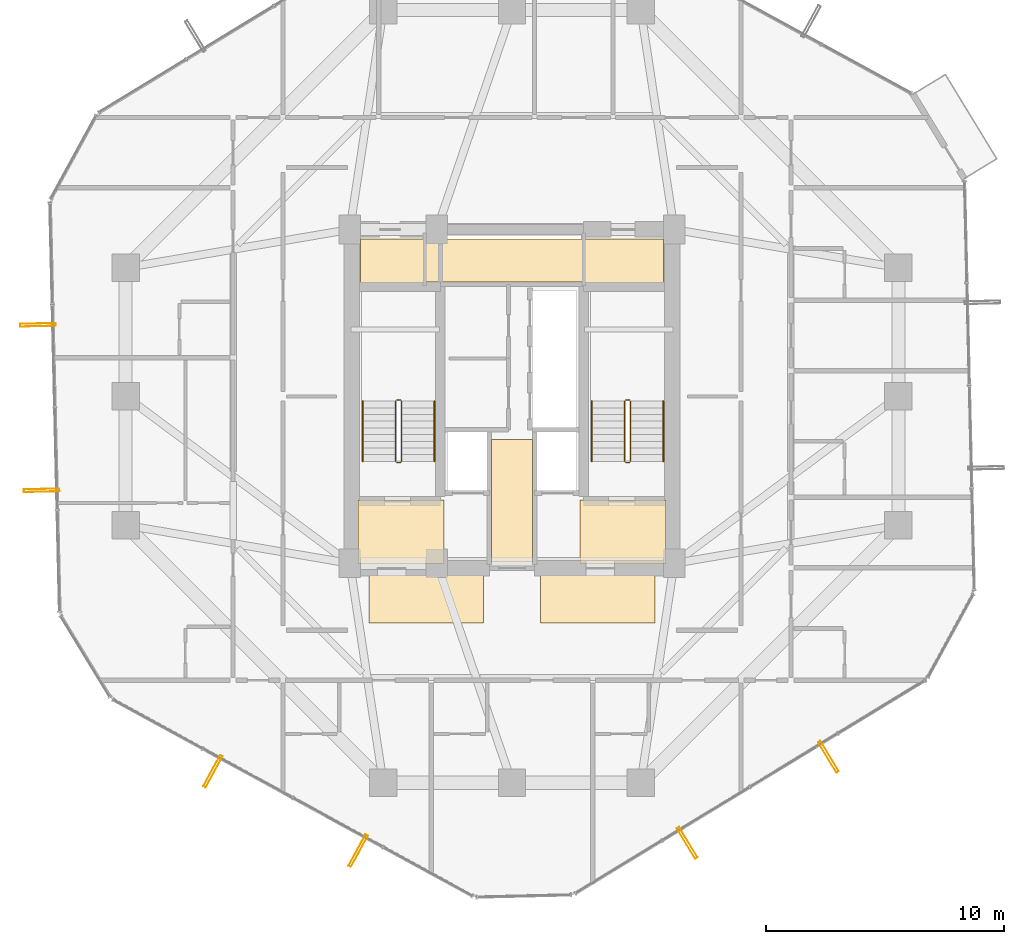
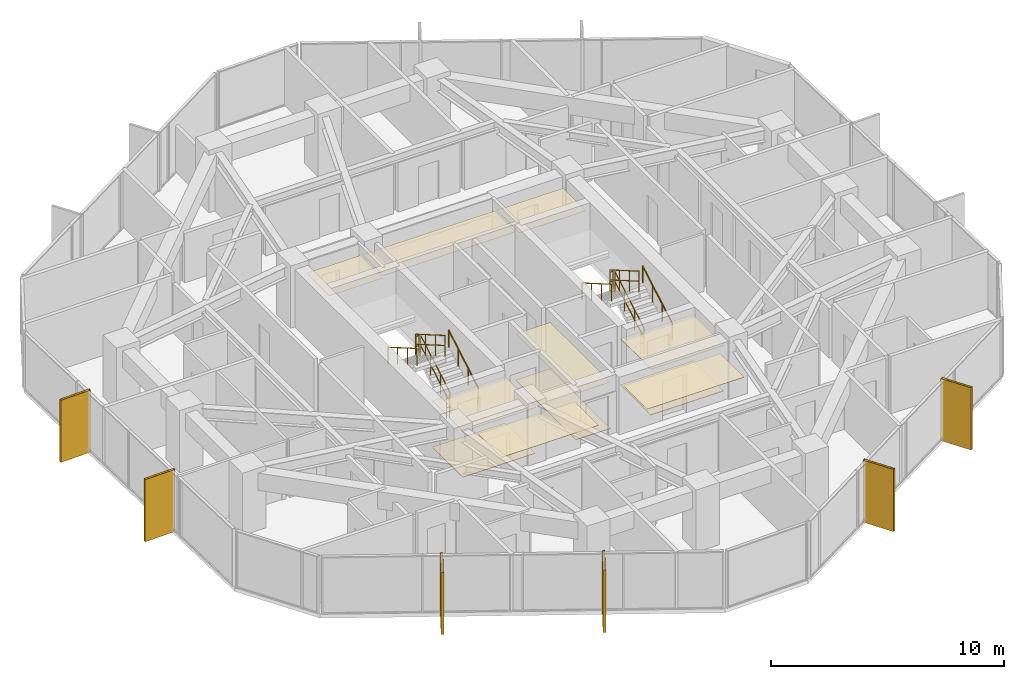
# One storey, part 30 of 31: 12 railings, 11 coverings, 6 shading devices.
"""IFC4 building model written with IfcOpenShell, lengths in metres."""

from ifc_helpers import new_model, si_unit, direction, frame, origin, origin_2d, place, context, subcontext, project, spatial, polyline, hollow_rectangle, circle, outline, extrude, material, layer, layer_set, material_profile, profile_set, type_object, element, save


model = new_model("IFC4")

# Units and contexts
model_context = context("Model", 3, precision=1e-05, world=origin(), true_north=direction((0.0, 1.0)))
body_context = subcontext(model_context, "Body", "Model", "MODEL_VIEW")
ifc_project = project(units=[si_unit("LENGTHUNIT", "METRE"), si_unit("AREAUNIT", "SQUARE_METRE"), si_unit("VOLUMEUNIT", "CUBIC_METRE"), si_unit("PLANEANGLEUNIT", "RADIAN"), si_unit("MASSUNIT", "GRAM", prefix="KILO")], contexts=[model_context])

# Site, building, storey
site_placement = place(None, origin())
site = spatial("IfcSite", under=ifc_project, at=site_placement, CompositionType="ELEMENT")
building_placement = place(site_placement, origin())
building = spatial("IfcBuilding", under=site, at=building_placement, Name="Veraguas Prism Commons", CompositionType="ELEMENT")
storey_placement = place(building_placement, frame((0.0, 0.0, 132.75)))
storey = spatial("IfcBuildingStorey", under=building, at=storey_placement, Name="L37", CompositionType="ELEMENT", Elevation=132.75)

# Shading devices
ifc_material_1 = material(Name="Anodised aluminium EN AW-6063 T6", Category="aluminium")
ifc_material_profile = material_profile(ifc_material_1, hollow_rectangle(XDim=0.1201171875, YDim=1.489990234375, WallThickness=0.006103515625, at=origin_2d()), Name="FIN120X1490X6")
ifc_profile_set = profile_set([ifc_material_profile], Name="Anodised aluminium EN AW-6063 T6")
shading_device_type = type_object("IfcShadingDeviceType", Name="Deep Pale-Metal Vertical Solar Fin 120x1490", PredefinedType="USERDEFINED", material=ifc_profile_set)
for number, where, z_axis, x_axis, name in (
    (1, (4.11572265625, 26.999755859375, -0.22998046875), (0.0, 0.0, 1.0), (0.023734248954, -0.999718303037, 0.0), "Vertical Pale-Metal Solar Fin L37-F3A"),
    (2, (4.280517578125, 20.06005859375, -0.22998046875), (0.0, 0.0, 1.0), (0.023734248954, -0.999718303037, 0.0), "Vertical Pale-Metal Solar Fin L37-F3B"),
    (3, (11.4599609375, 8.279541015625, -0.22998046875), (0.0, 0.0, 1.0), (0.877647734989, -0.479306220769, 0.0), "Vertical Pale-Metal Solar Fin L37-F4A"),
    (4, (17.552490234375, 4.952392578125, -0.22998046875), (0.0, 0.0, 1.0), (0.877647734989, -0.479306220769, 0.0), "Vertical Pale-Metal Solar Fin L37-F4B"),
    (5, (31.34423828125, 5.27978515625, -0.22998046875), (0.0, 0.0, 1.0), (0.853916139162, 0.520410633326, 0.0), "Vertical Pale-Metal Solar Fin L37-F5A"),
    (6, (37.27197265625, 8.892333984375, -0.22998046875), (0.0, 0.0, 1.0), (0.853916139162, 0.520410633326, 0.0), "Vertical Pale-Metal Solar Fin L37-F5B"),
):
    element("IfcShadingDevice", number, at=place(storey_placement, frame(where, z_axis=z_axis, x_axis=x_axis)), inside=storey, type_object=shading_device_type, Name=name, ObjectType="FIN", PredefinedType="USERDEFINED", context=body_context, shape_type="SweptSolid", body=[
        extrude(hollow_rectangle(XDim=0.1201171875, YDim=1.489990234375, WallThickness=0.006103515625, at=origin_2d()), origin(), (0.0, 0.0, 1.0), 3.25),
    ])

# Coverings
ifc_material_2 = material(Name="Acoustic gypsum board")
ifc_layer_1 = layer(ifc_material_2, 0.02490234375, Name="Perforated Acoustic Ceiling Tile 25")
ifc_layer_set_1 = layer_set([ifc_layer_1], Name="Acoustic gypsum board")
covering_type_1 = type_object("IfcCoveringType", Name="Perforated Acoustic Ceiling Tile 25", PredefinedType="USERDEFINED", material=ifc_layer_set_1)
covering_1_placement = place(storey_placement, frame((0.0, 0.0, 2.425048828125)))
element("IfcCovering", 7, at=covering_1_placement, inside=storey, type_object=covering_type_1, Name="East Lobby Acoustic Ceiling L37", ObjectType="ACOUSTIC CEILING", PredefinedType="USERDEFINED", context=body_context, shape_type="SweptSolid", body=[
    extrude(outline(polyline([(26.85009765625, 17.0), (30.449951171875, 17.0), (30.449951171875, 19.64990234375), (26.85009765625, 19.64990234375), (26.85009765625, 17.0)])), origin(), (0.0, 0.0, 1.0), 0.02490234375),
])
ifc_material_3 = material(Name="Terrazzo stone finish", Category="masonry")
ifc_layer_2 = layer(ifc_material_3, 0.030029296875, Name="Polished Terrazzo Floor Finish 30", Category="masonry")
ifc_layer_set_2 = layer_set([ifc_layer_2], Name="Terrazzo stone finish")
covering_type_2 = type_object("IfcCoveringType", Name="Polished Terrazzo Floor Finish 30", PredefinedType="FLOORING", material=ifc_layer_set_2)
covering_2_placement = place(storey_placement, origin())
element("IfcCovering", 8, at=covering_2_placement, inside=storey, type_object=covering_type_2, Name="Terrazzo Lobby Flooring L37", PredefinedType="FLOORING", context=body_context, shape_type="SweptSolid", body=[
    extrude(outline(polyline([(23.14990234375, 17.050048828125), (24.85009765625, 17.050048828125), (24.85009765625, 22.199951171875), (23.14990234375, 22.199951171875), (23.14990234375, 17.050048828125)])), origin(), (0.0, 0.0, 1.0), 0.030029296875),
])
covering_3_placement = place(storey_placement, origin())
element("IfcCovering", 9, at=covering_3_placement, inside=storey, type_object=covering_type_2, Name="West FF Lobby Terrazzo Flooring L37", PredefinedType="FLOORING", context=body_context, shape_type="SweptSolid", body=[
    extrude(outline(polyline([(17.550048828125, 17.050048828125), (21.14990234375, 17.050048828125), (21.14990234375, 19.64990234375), (17.550048828125, 19.64990234375), (17.550048828125, 17.050048828125)])), origin(), (0.0, 0.0, 1.0), 0.030029296875),
])
covering_4_placement = place(storey_placement, origin())
element("IfcCovering", 10, at=covering_4_placement, inside=storey, type_object=covering_type_2, Name="East FF Lobby Terrazzo Flooring L37", PredefinedType="FLOORING", context=body_context, shape_type="SweptSolid", body=[
    extrude(outline(polyline([(26.85009765625, 17.050048828125), (30.449951171875, 17.050048828125), (30.449951171875, 19.64990234375), (26.85009765625, 19.64990234375), (26.85009765625, 17.050048828125)])), origin(), (0.0, 0.0, 1.0), 0.030029296875),
])

# Railings
ifc_material_4 = material(Name="Stainless steel AISI 316", Category="steel")
railing_type_1 = type_object("IfcRailingType", Name="Stair and Ramp Stainless Handrail 900", PredefinedType="HANDRAIL", material=ifc_material_4)
railing_1_placement = place(storey_placement, frame((20.75, 21.280029296875, 0.16259765625)))
element("IfcRailing", 11, at=railing_1_placement, inside=storey, type_object=railing_type_1, Name="Stair Handrail ST-01 L37-1", PredefinedType="HANDRAIL", context=body_context, shape_type="SweptSolid", body=[
    extrude(circle(Radius=0.02392578125, at=origin_2d()), frame((0.0, 0.0, 0.8759765625), z_axis=(0.0, 0.864913338283, 0.50192122615), x_axis=(-1.0, 0.0, 0.0)), (0.0, 0.0, 1.0), 2.91357421875),
    extrude(circle(Radius=0.02099609375, at=origin_2d()), origin(), (0.0, 0.0, 1.0), 0.851806640625),
    extrude(circle(Radius=0.02099609375, at=origin_2d()), frame((0.0, 0.840087890625, 0.487548828125)), (0.0, 0.0, 1.0), 0.851806640625),
    extrude(circle(Radius=0.02099609375, at=origin_2d()), frame((0.0, 1.679931640625, 0.974853515625)), (0.0, 0.0, 1.0), 0.851806640625),
    extrude(circle(Radius=0.02099609375, at=origin_2d()), frame((0.0, 2.52001953125, 1.46240234375)), (0.0, 0.0, 1.0), 0.851806640625),
])
railing_2_placement = place(storey_placement, frame((17.739990234375, 23.800048828125, 1.78759765625)))
element("IfcRailing", 12, at=railing_2_placement, inside=storey, type_object=railing_type_1, Name="Stair Handrail ST-01 L37-2", PredefinedType="HANDRAIL", context=body_context, shape_type="SweptSolid", body=[
    extrude(circle(Radius=0.02392578125, at=origin_2d()), frame((0.0, 0.0, 0.8759765625), z_axis=(0.0, -0.864913338283, 0.50192122615), x_axis=(1.0, 0.0, 0.0)), (0.0, 0.0, 1.0), 2.91357421875),
    extrude(circle(Radius=0.02099609375, at=origin_2d()), origin(), (0.0, 0.0, 1.0), 0.851806640625),
    extrude(circle(Radius=0.02099609375, at=origin_2d()), frame((0.0, -0.840087890625, 0.487548828125)), (0.0, 0.0, 1.0), 0.851806640625),
    extrude(circle(Radius=0.02099609375, at=origin_2d()), frame((0.0, -1.679931640625, 0.974853515625)), (0.0, 0.0, 1.0), 0.851806640625),
    extrude(circle(Radius=0.02099609375, at=origin_2d()), frame((0.0, -2.52001953125, 1.46240234375)), (0.0, 0.0, 1.0), 0.851806640625),
])
railing_3_placement = place(storey_placement, frame((30.35009765625, 21.280029296875, 0.16259765625)))
element("IfcRailing", 13, at=railing_3_placement, inside=storey, type_object=railing_type_1, Name="Stair Handrail ST-02 L37-1", PredefinedType="HANDRAIL", context=body_context, shape_type="SweptSolid", body=[
    extrude(circle(Radius=0.02392578125, at=origin_2d()), frame((0.0, 0.0, 0.8759765625), z_axis=(0.0, 0.864913338283, 0.50192122615), x_axis=(-1.0, 0.0, 0.0)), (0.0, 0.0, 1.0), 2.91357421875),
    extrude(circle(Radius=0.02099609375, at=origin_2d()), origin(), (0.0, 0.0, 1.0), 0.851806640625),
    extrude(circle(Radius=0.02099609375, at=origin_2d()), frame((0.0, 0.840087890625, 0.487548828125)), (0.0, 0.0, 1.0), 0.851806640625),
    extrude(circle(Radius=0.02099609375, at=origin_2d()), frame((0.0, 1.679931640625, 0.974853515625)), (0.0, 0.0, 1.0), 0.851806640625),
    extrude(circle(Radius=0.02099609375, at=origin_2d()), frame((0.0, 2.52001953125, 1.46240234375)), (0.0, 0.0, 1.0), 0.851806640625),
])
railing_4_placement = place(storey_placement, frame((27.340087890625, 23.800048828125, 1.78759765625)))
element("IfcRailing", 14, at=railing_4_placement, inside=storey, type_object=railing_type_1, Name="Stair Handrail ST-02 L37-2", PredefinedType="HANDRAIL", context=body_context, shape_type="SweptSolid", body=[
    extrude(circle(Radius=0.02392578125, at=origin_2d()), frame((0.0, 0.0, 0.8759765625), z_axis=(0.0, -0.864913338283, 0.50192122615), x_axis=(1.0, 0.0, 0.0)), (0.0, 0.0, 1.0), 2.91357421875),
    extrude(circle(Radius=0.02099609375, at=origin_2d()), origin(), (0.0, 0.0, 1.0), 0.851806640625),
    extrude(circle(Radius=0.02099609375, at=origin_2d()), frame((0.0, -0.840087890625, 0.487548828125)), (0.0, 0.0, 1.0), 0.851806640625),
    extrude(circle(Radius=0.02099609375, at=origin_2d()), frame((0.0, -1.679931640625, 0.974853515625)), (0.0, 0.0, 1.0), 0.851806640625),
    extrude(circle(Radius=0.02099609375, at=origin_2d()), frame((0.0, -2.52001953125, 1.46240234375)), (0.0, 0.0, 1.0), 0.851806640625),
])
railing_type_2 = type_object("IfcRailingType", Name="Stairwell Safety Guardrail 1100", PredefinedType="GUARDRAIL", material=ifc_material_4)
railing_5_placement = place(storey_placement, frame((19.3701171875, 21.280029296875, 0.16259765625)))
element("IfcRailing", 15, at=railing_5_placement, inside=storey, type_object=railing_type_2, Name="Stair Guard ST-01 L37-1", PredefinedType="GUARDRAIL", context=body_context, shape_type="SweptSolid", body=[
    extrude(circle(Radius=0.02392578125, at=origin_2d()), frame((0.0, 0.0, 1.076171875), z_axis=(0.0, 0.864913338283, 0.50192122615), x_axis=(-1.0, 0.0, 0.0)), (0.0, 0.0, 1.0), 2.91357421875),
    extrude(circle(Radius=0.02392578125, at=origin_2d()), frame((0.0, 0.0, 0.550048828125), z_axis=(0.0, 0.864913338283, 0.50192122615), x_axis=(-1.0, 0.0, 0.0)), (0.0, 0.0, 1.0), 2.91357421875),
    extrude(circle(Radius=0.02099609375, at=origin_2d()), origin(), (0.0, 0.0, 1.0), 1.052001953125),
    extrude(circle(Radius=0.02099609375, at=origin_2d()), frame((0.0, 0.840087890625, 0.487548828125)), (0.0, 0.0, 1.0), 1.052001953125),
    extrude(circle(Radius=0.02099609375, at=origin_2d()), frame((0.0, 1.679931640625, 0.974853515625)), (0.0, 0.0, 1.0), 1.052001953125),
    extrude(circle(Radius=0.02099609375, at=origin_2d()), frame((0.0, 2.52001953125, 1.46240234375)), (0.0, 0.0, 1.0), 1.052001953125),
])
railing_6_placement = place(storey_placement, frame((19.320068359375, 23.85009765625, 1.625)))
element("IfcRailing", 16, at=railing_6_placement, inside=storey, type_object=railing_type_2, Name="Stair Guard ST-01 L37-2", PredefinedType="GUARDRAIL", context=body_context, shape_type="SweptSolid", body=[
    extrude(circle(Radius=0.02392578125, at=origin_2d()), frame((0.0, 0.0, 1.076171875), z_axis=(-1.0, 0.0, 0.0), x_axis=(0.0, -1.0, 0.0)), (0.0, 0.0, 1.0), 0.150146484375),
    extrude(circle(Radius=0.02392578125, at=origin_2d()), frame((0.0, 0.0, 0.550048828125), z_axis=(-1.0, 0.0, 0.0), x_axis=(0.0, -1.0, 0.0)), (0.0, 0.0, 1.0), 0.150146484375),
    extrude(circle(Radius=0.02099609375, at=origin_2d()), origin(), (0.0, 0.0, 1.0), 1.052001953125),
    extrude(circle(Radius=0.02099609375, at=origin_2d()), frame((-0.150146484375, 0.0, 0.0)), (0.0, 0.0, 1.0), 1.052001953125),
])
railing_7_placement = place(storey_placement, frame((19.1201171875, 23.800048828125, 1.78759765625)))
element("IfcRailing", 17, at=railing_7_placement, inside=storey, type_object=railing_type_2, Name="Stair Guard ST-01 L37-3", PredefinedType="GUARDRAIL", context=body_context, shape_type="SweptSolid", body=[
    extrude(circle(Radius=0.02392578125, at=origin_2d()), frame((0.0, 0.0, 1.076171875), z_axis=(0.0, -0.864913338283, 0.50192122615), x_axis=(1.0, 0.0, 0.0)), (0.0, 0.0, 1.0), 2.91357421875),
    extrude(circle(Radius=0.02392578125, at=origin_2d()), frame((0.0, 0.0, 0.550048828125), z_axis=(0.0, -0.864913338283, 0.50192122615), x_axis=(1.0, 0.0, 0.0)), (0.0, 0.0, 1.0), 2.91357421875),
    extrude(circle(Radius=0.02099609375, at=origin_2d()), origin(), (0.0, 0.0, 1.0), 1.052001953125),
    extrude(circle(Radius=0.02099609375, at=origin_2d()), frame((0.0, -0.840087890625, 0.487548828125)), (0.0, 0.0, 1.0), 1.052001953125),
    extrude(circle(Radius=0.02099609375, at=origin_2d()), frame((0.0, -1.679931640625, 0.974853515625)), (0.0, 0.0, 1.0), 1.052001953125),
    extrude(circle(Radius=0.02099609375, at=origin_2d()), frame((0.0, -2.52001953125, 1.46240234375)), (0.0, 0.0, 1.0), 1.052001953125),
])
railing_8_placement = place(storey_placement, frame((19.320068359375, 21.22998046875, 0.0)))
element("IfcRailing", 18, at=railing_8_placement, inside=storey, type_object=railing_type_2, Name="Stair Guard ST-01 L37-4", PredefinedType="GUARDRAIL", context=body_context, shape_type="SweptSolid", body=[
    extrude(circle(Radius=0.02392578125, at=origin_2d()), frame((0.0, 0.0, 1.076171875), z_axis=(-1.0, 0.0, 0.0), x_axis=(0.0, -1.0, 0.0)), (0.0, 0.0, 1.0), 0.150146484375),
    extrude(circle(Radius=0.02392578125, at=origin_2d()), frame((0.0, 0.0, 0.550048828125), z_axis=(-1.0, 0.0, 0.0), x_axis=(0.0, -1.0, 0.0)), (0.0, 0.0, 1.0), 0.150146484375),
    extrude(circle(Radius=0.02099609375, at=origin_2d()), origin(), (0.0, 0.0, 1.0), 1.052001953125),
    extrude(circle(Radius=0.02099609375, at=origin_2d()), frame((-0.150146484375, 0.0, 0.0)), (0.0, 0.0, 1.0), 1.052001953125),
])
railing_9_placement = place(storey_placement, frame((28.969970703125, 21.280029296875, 0.16259765625)))
element("IfcRailing", 19, at=railing_9_placement, inside=storey, type_object=railing_type_2, Name="Stair Guard ST-02 L37-1", PredefinedType="GUARDRAIL", context=body_context, shape_type="SweptSolid", body=[
    extrude(circle(Radius=0.02392578125, at=origin_2d()), frame((0.0, 0.0, 1.076171875), z_axis=(0.0, 0.864913338283, 0.50192122615), x_axis=(-1.0, 0.0, 0.0)), (0.0, 0.0, 1.0), 2.91357421875),
    extrude(circle(Radius=0.02392578125, at=origin_2d()), frame((0.0, 0.0, 0.550048828125), z_axis=(0.0, 0.864913338283, 0.50192122615), x_axis=(-1.0, 0.0, 0.0)), (0.0, 0.0, 1.0), 2.91357421875),
    extrude(circle(Radius=0.02099609375, at=origin_2d()), origin(), (0.0, 0.0, 1.0), 1.052001953125),
    extrude(circle(Radius=0.02099609375, at=origin_2d()), frame((0.0, 0.840087890625, 0.487548828125)), (0.0, 0.0, 1.0), 1.052001953125),
    extrude(circle(Radius=0.02099609375, at=origin_2d()), frame((0.0, 1.679931640625, 0.974853515625)), (0.0, 0.0, 1.0), 1.052001953125),
    extrude(circle(Radius=0.02099609375, at=origin_2d()), frame((0.0, 2.52001953125, 1.46240234375)), (0.0, 0.0, 1.0), 1.052001953125),
])
railing_10_placement = place(storey_placement, frame((28.919921875, 23.85009765625, 1.625)))
element("IfcRailing", 20, at=railing_10_placement, inside=storey, type_object=railing_type_2, Name="Stair Guard ST-02 L37-2", PredefinedType="GUARDRAIL", context=body_context, shape_type="SweptSolid", body=[
    extrude(circle(Radius=0.02392578125, at=origin_2d()), frame((0.0, 0.0, 1.076171875), z_axis=(-1.0, 0.0, 0.0), x_axis=(0.0, -1.0, 0.0)), (0.0, 0.0, 1.0), 0.14990234375),
    extrude(circle(Radius=0.02392578125, at=origin_2d()), frame((0.0, 0.0, 0.550048828125), z_axis=(-1.0, 0.0, 0.0), x_axis=(0.0, -1.0, 0.0)), (0.0, 0.0, 1.0), 0.14990234375),
    extrude(circle(Radius=0.02099609375, at=origin_2d()), origin(), (0.0, 0.0, 1.0), 1.052001953125),
    extrude(circle(Radius=0.02099609375, at=origin_2d()), frame((-0.14990234375, 0.0, 0.0)), (0.0, 0.0, 1.0), 1.052001953125),
])
railing_11_placement = place(storey_placement, frame((28.719970703125, 23.800048828125, 1.78759765625)))
element("IfcRailing", 21, at=railing_11_placement, inside=storey, type_object=railing_type_2, Name="Stair Guard ST-02 L37-3", PredefinedType="GUARDRAIL", context=body_context, shape_type="SweptSolid", body=[
    extrude(circle(Radius=0.02392578125, at=origin_2d()), frame((0.0, 0.0, 1.076171875), z_axis=(0.0, -0.864913338283, 0.50192122615), x_axis=(1.0, 0.0, 0.0)), (0.0, 0.0, 1.0), 2.91357421875),
    extrude(circle(Radius=0.02392578125, at=origin_2d()), frame((0.0, 0.0, 0.550048828125), z_axis=(0.0, -0.864913338283, 0.50192122615), x_axis=(1.0, 0.0, 0.0)), (0.0, 0.0, 1.0), 2.91357421875),
    extrude(circle(Radius=0.02099609375, at=origin_2d()), origin(), (0.0, 0.0, 1.0), 1.052001953125),
    extrude(circle(Radius=0.02099609375, at=origin_2d()), frame((0.0, -0.840087890625, 0.487548828125)), (0.0, 0.0, 1.0), 1.052001953125),
    extrude(circle(Radius=0.02099609375, at=origin_2d()), frame((0.0, -1.679931640625, 0.974853515625)), (0.0, 0.0, 1.0), 1.052001953125),
    extrude(circle(Radius=0.02099609375, at=origin_2d()), frame((0.0, -2.52001953125, 1.46240234375)), (0.0, 0.0, 1.0), 1.052001953125),
])
railing_12_placement = place(storey_placement, frame((28.919921875, 21.22998046875, 0.0)))
element("IfcRailing", 22, at=railing_12_placement, inside=storey, type_object=railing_type_2, Name="Stair Guard ST-02 L37-4", PredefinedType="GUARDRAIL", context=body_context, shape_type="SweptSolid", body=[
    extrude(circle(Radius=0.02392578125, at=origin_2d()), frame((0.0, 0.0, 1.076171875), z_axis=(-1.0, 0.0, 0.0), x_axis=(0.0, -1.0, 0.0)), (0.0, 0.0, 1.0), 0.14990234375),
    extrude(circle(Radius=0.02392578125, at=origin_2d()), frame((0.0, 0.0, 0.550048828125), z_axis=(-1.0, 0.0, 0.0), x_axis=(0.0, -1.0, 0.0)), (0.0, 0.0, 1.0), 0.14990234375),
    extrude(circle(Radius=0.02099609375, at=origin_2d()), origin(), (0.0, 0.0, 1.0), 1.052001953125),
    extrude(circle(Radius=0.02099609375, at=origin_2d()), frame((-0.14990234375, 0.0, 0.0)), (0.0, 0.0, 1.0), 1.052001953125),
])

# Coverings
ifc_layer_3 = layer(ifc_material_2, 0.02001953125, Name="Suspended Gypsum Ceiling 20")
ifc_layer_set_3 = layer_set([ifc_layer_3], Name="Acoustic gypsum board")
covering_type_3 = type_object("IfcCoveringType", Name="Suspended Gypsum Ceiling 20", PredefinedType="CEILING", material=ifc_layer_set_3)
covering_5_placement = place(storey_placement, frame((0.0, 0.0, 2.429931640625)))
element("IfcCovering", 23, at=covering_5_placement, inside=storey, type_object=covering_type_3, Name="West Lobby Suspended Gypsum Ceiling L37", PredefinedType="CEILING", context=body_context, shape_type="SweptSolid", body=[
    extrude(outline(polyline([(17.550048828125, 17.0), (21.14990234375, 17.0), (21.14990234375, 19.64990234375), (17.550048828125, 19.64990234375), (17.550048828125, 17.0)])), origin(), (0.0, 0.0, 1.0), 0.02001953125),
])
covering_6_placement = place(storey_placement, frame((0.0, 0.0, 2.429931640625)))
element("IfcCovering", 24, at=covering_6_placement, inside=storey, type_object=covering_type_3, Name="Core Lobby Acoustic Ceiling L37-1", PredefinedType="CEILING", context=body_context, shape_type="SweptSolid", body=[
    extrude(outline(polyline([(18.0, 14.5), (22.800048828125, 14.5), (22.800048828125, 16.550048828125), (18.0, 16.550048828125), (18.0, 14.5)])), origin(), (0.0, 0.0, 1.0), 0.02001953125),
])
covering_7_placement = place(storey_placement, frame((0.0, 0.0, 2.429931640625)))
element("IfcCovering", 25, at=covering_7_placement, inside=storey, type_object=covering_type_3, Name="Core Lobby Acoustic Ceiling L37-2", PredefinedType="CEILING", context=body_context, shape_type="SweptSolid", body=[
    extrude(outline(polyline([(25.199951171875, 14.5), (30.0, 14.5), (30.0, 16.550048828125), (25.199951171875, 16.550048828125), (25.199951171875, 14.5)])), origin(), (0.0, 0.0, 1.0), 0.02001953125),
])
covering_8_placement = place(storey_placement, frame((0.0, 0.0, 2.429931640625)))
element("IfcCovering", 26, at=covering_8_placement, inside=storey, type_object=covering_type_3, Name="Core Lobby Acoustic Ceiling L37-3", PredefinedType="CEILING", context=body_context, shape_type="SweptSolid", body=[
    extrude(outline(polyline([(23.14990234375, 17.050048828125), (24.85009765625, 17.050048828125), (24.85009765625, 22.199951171875), (23.14990234375, 22.199951171875), (23.14990234375, 17.050048828125)])), origin(), (0.0, 0.0, 1.0), 0.02001953125),
])
covering_9_placement = place(storey_placement, frame((0.0, 0.0, 2.429931640625)))
element("IfcCovering", 27, at=covering_9_placement, inside=storey, type_object=covering_type_3, Name="Core Lobby Acoustic Ceiling L37-4", PredefinedType="CEILING", context=body_context, shape_type="SweptSolid", body=[
    extrude(outline(polyline([(17.64990234375, 28.64990234375), (20.300048828125, 28.64990234375), (20.300048828125, 30.60009765625), (17.64990234375, 30.60009765625), (17.64990234375, 28.64990234375)])), origin(), (0.0, 0.0, 1.0), 0.02001953125),
])
covering_10_placement = place(storey_placement, frame((0.0, 0.0, 2.429931640625)))
element("IfcCovering", 28, at=covering_10_placement, inside=storey, type_object=covering_type_3, Name="Core Lobby Acoustic Ceiling L37-5", PredefinedType="CEILING", context=body_context, shape_type="SweptSolid", body=[
    extrude(outline(polyline([(27.050048828125, 28.64990234375), (30.35009765625, 28.64990234375), (30.35009765625, 30.60009765625), (27.050048828125, 30.60009765625), (27.050048828125, 28.64990234375)])), origin(), (0.0, 0.0, 1.0), 0.02001953125),
])
covering_11_placement = place(storey_placement, frame((0.0, 0.0, 2.429931640625)))
element("IfcCovering", 29, at=covering_11_placement, inside=storey, type_object=covering_type_3, Name="Core Lobby Acoustic Ceiling L37-6", PredefinedType="CEILING", context=body_context, shape_type="SweptSolid", body=[
    extrude(outline(polyline([(20.39990234375, 28.800048828125), (26.949951171875, 28.800048828125), (26.949951171875, 30.60009765625), (20.39990234375, 30.60009765625), (20.39990234375, 28.800048828125)])), origin(), (0.0, 0.0, 1.0), 0.02001953125),
])

save(model, "model.ifc")
